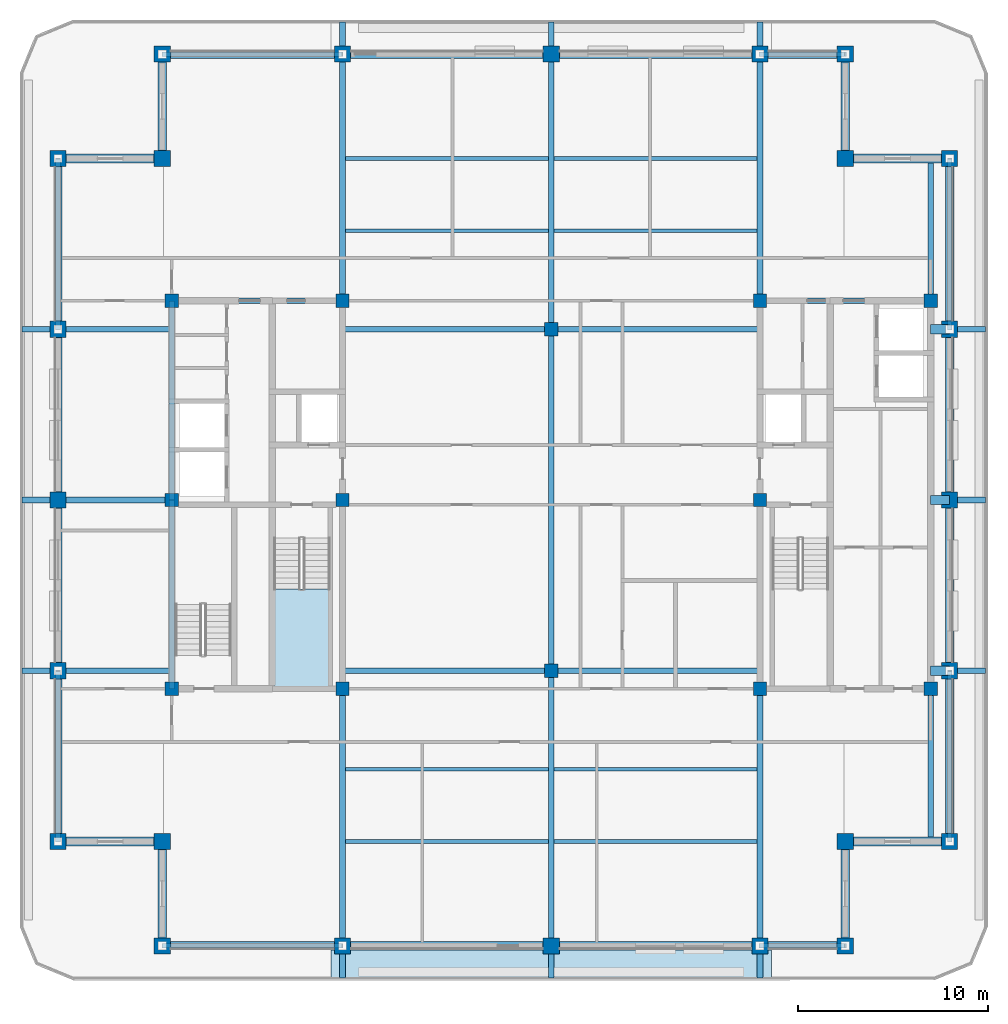
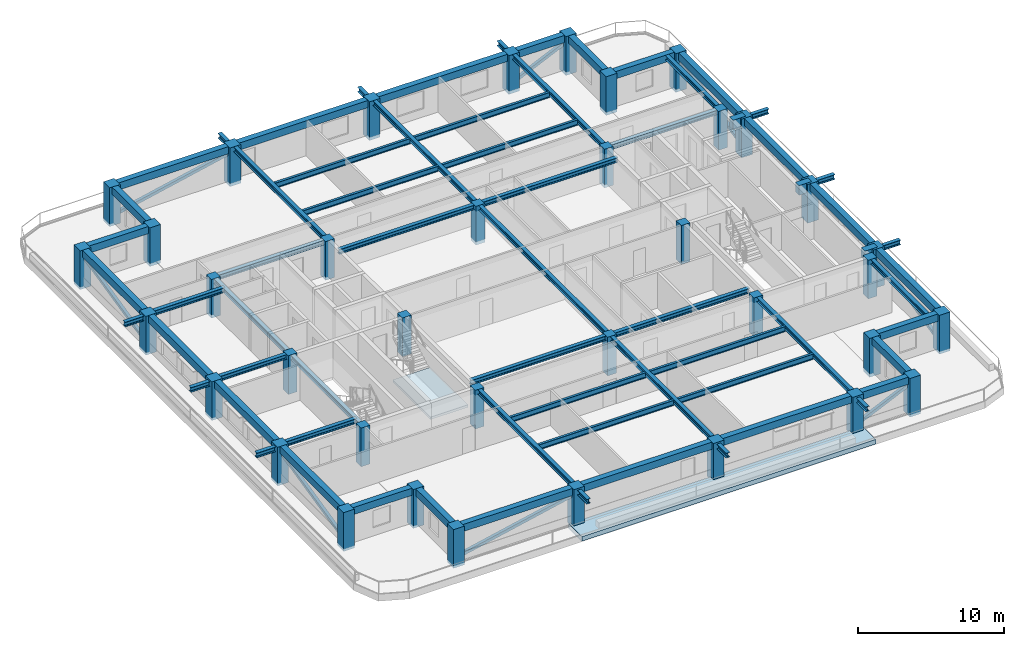
# One storey, part 1 of 11: 67 beams, 37 columns, 8 members, 2 slabs, 1 element without a shape of its own.
"""IFC4 building model written with IfcOpenShell, lengths in metres."""

from ifc_helpers import new_model, si_unit, direction, frame, origin, origin_2d, place, context, subcontext, project, spatial, polyline, rectangle, hollow_rectangle, i_section, outline, extrude, material, layer, layer_set, material_profile, profile_set, type_object, element, aggregate, save


model = new_model("IFC4")

# Units and contexts
model_context = context("Model", 3, precision=1e-05, world=origin(), true_north=direction((0.0, 1.0)))
body_context = subcontext(model_context, "Body", "Model", "MODEL_VIEW")
ifc_project = project(units=[si_unit("LENGTHUNIT", "METRE"), si_unit("AREAUNIT", "SQUARE_METRE"), si_unit("VOLUMEUNIT", "CUBIC_METRE"), si_unit("PLANEANGLEUNIT", "RADIAN"), si_unit("MASSUNIT", "GRAM", prefix="KILO")], contexts=[model_context])

# Site, building, storey
site_placement = place(None, origin())
site = spatial("IfcSite", under=ifc_project, at=site_placement, CompositionType="ELEMENT")
building_placement = place(site_placement, origin())
building = spatial("IfcBuilding", under=site, at=building_placement, Name="Zulmaris Gate Convention Tower", CompositionType="ELEMENT")
storey_placement = place(building_placement, frame((0.0, 0.0, 257.659912109375)))
storey = spatial("IfcBuildingStorey", under=building, at=storey_placement, Name="L68", CompositionType="ELEMENT", Elevation=257.659912109375)

# Columns
ifc_material_1 = material(Name="Concrete C50/60", Category="concrete")
ifc_material_profile_1 = material_profile(ifc_material_1, rectangle(XDim=0.699951171875, YDim=0.699951171875, at=origin_2d()), Name="RC COL 700x700")
ifc_profile_set_1 = profile_set([ifc_material_profile_1], Name="Concrete C50/60")
column_type_1 = type_object("IfcColumnType", Name="COL-RC700", PredefinedType="COLUMN", material=ifc_profile_set_1)
for number, where, z_axis, x_axis, name in (
    (1, (-20.0, -9.949951171875, -0.25), (0.0, 0.0, 1.0), (1.0, 0.0, 0.0), "L68 Column IN--20.00_-9.95"),
    (2, (-20.0, 10.5, -0.25), (0.0, 0.0, 1.0), (1.0, 0.0, 0.0), "L68 Column IN--20.00_+10.50"),
    (3, (-11.0, -9.949951171875, -0.25), (0.0, 0.0, 1.0), (1.0, 0.0, 0.0), "L68 Column IN--11.00_-9.95"),
    (4, (-11.0, 0.0, -0.25), (0.0, 0.0, 1.0), (1.0, 0.0, 0.0), "L68 Column IN--11.00_+0.00"),
    (5, (-11.0, 10.5, -0.25), (0.0, 0.0, 1.0), (1.0, 0.0, 0.0), "L68 Column IN--11.00_+10.50"),
    (6, (11.0, -9.949951171875, -0.25), (0.0, 0.0, 1.0), (1.0, 0.0, 0.0), "L68 Column IN-+11.00_-9.95"),
    (7, (11.0, 0.0, -0.25), (0.0, 0.0, 1.0), (1.0, 0.0, 0.0), "L68 Column IN-+11.00_+0.00"),
    (8, (11.0, 10.5, -0.25), (0.0, 0.0, 1.0), (1.0, 0.0, 0.0), "L68 Column IN-+11.00_+10.50"),
    (9, (20.0, -9.949951171875, -0.25), (0.0, 0.0, 1.0), (1.0, 0.0, 0.0), "L68 Column IN-+20.00_-9.95"),
    (10, (20.0, 10.5, -0.25), (0.0, 0.0, 1.0), (1.0, 0.0, 0.0), "L68 Column IN-+20.00_+10.50"),
    (11, (0.0, -9.0, -0.25), (0.0, 0.0, 1.0), (1.0, 0.0, 0.0), "L68 Column IN-+0.00_-9.00"),
    (12, (0.0, 9.0, -0.25), (0.0, 0.0, 1.0), (1.0, 0.0, 0.0), "L68 Column IN-+0.00_+9.00"),
    (13, (-20.0, 0.0, -0.25), (0.0, 0.0, 1.0), (1.0, 0.0, 0.0), "L68 Column IN--20.00_+0.00"),
):
    element("IfcColumn", number, at=place(storey_placement, frame(where, z_axis=z_axis, x_axis=x_axis)), inside=storey, type_object=column_type_1, Name=name, PredefinedType="COLUMN", context=body_context, shape_type="SweptSolid", body=[
        extrude(rectangle(XDim=0.699951171875, YDim=0.699951171875, at=origin_2d()), origin(), (0.0, 0.0, 1.0), 3.22998046875),
    ])
ifc_material_2 = material(Name="Concrete C60/75", Category="concrete")
ifc_material_profile_2 = material_profile(ifc_material_2, rectangle(XDim=0.85009765625, YDim=0.85009765625, at=origin_2d()), Name="RC COL 850x850")
ifc_profile_set_2 = profile_set([ifc_material_profile_2], Name="Concrete C60/75")
column_type_2 = type_object("IfcColumnType", Name="COL-RC850", PredefinedType="COLUMN", material=ifc_profile_set_2)
for number, where, z_axis, x_axis, name in (
    (14, (-20.5, -23.5, -0.25), (0.0, 0.0, 1.0), (1.0, 0.0, 0.0), "L68 Column PT--20.50_-23.50"),
    (15, (-11.0, -23.5, -0.25), (0.0, 0.0, 1.0), (1.0, 0.0, 0.0), "L68 Column PT--11.00_-23.50"),
    (16, (0.0, -23.5, -0.25), (0.0, 0.0, 1.0), (1.0, 0.0, 0.0), "L68 Column PT-+0.00_-23.50"),
    (17, (11.0, -23.5, -0.25), (0.0, 0.0, 1.0), (1.0, 0.0, 0.0), "L68 Column PT-+11.00_-23.50"),
    (18, (15.5, -23.5, -0.25), (0.0, 0.0, 1.0), (1.0, 0.0, 0.0), "L68 Column PT-+15.50_-23.50"),
    (19, (-20.5, 23.5, -0.25), (0.0, 0.0, 1.0), (1.0, 0.0, 0.0), "L68 Column PT--20.50_+23.50"),
    (20, (-11.0, 23.5, -0.25), (0.0, 0.0, 1.0), (1.0, 0.0, 0.0), "L68 Column PT--11.00_+23.50"),
    (21, (0.0, 23.5, -0.25), (0.0, 0.0, 1.0), (1.0, 0.0, 0.0), "L68 Column PT-+0.00_+23.50"),
    (22, (11.0, 23.5, -0.25), (0.0, 0.0, 1.0), (1.0, 0.0, 0.0), "L68 Column PT-+11.00_+23.50"),
    (23, (15.5, 23.5, -0.25), (0.0, 0.0, 1.0), (1.0, 0.0, 0.0), "L68 Column PT-+15.50_+23.50"),
    (24, (-26.0, -18.0, -0.25), (0.0, 0.0, 1.0), (1.0, 0.0, 0.0), "L68 Column PT--26.00_-18.00"),
    (25, (-26.0, -9.0, -0.25), (0.0, 0.0, 1.0), (1.0, 0.0, 0.0), "L68 Column PT--26.00_-9.00"),
    (26, (-26.0, 0.0, -0.25), (0.0, 0.0, 1.0), (1.0, 0.0, 0.0), "L68 Column PT--26.00_+0.00"),
    (27, (-26.0, 9.0, -0.25), (0.0, 0.0, 1.0), (1.0, 0.0, 0.0), "L68 Column PT--26.00_+9.00"),
    (28, (-26.0, 18.0, -0.25), (0.0, 0.0, 1.0), (1.0, 0.0, 0.0), "L68 Column PT--26.00_+18.00"),
    (29, (21.0, -18.0, -0.25), (0.0, 0.0, 1.0), (1.0, 0.0, 0.0), "L68 Column PT-+21.00_-18.00"),
    (30, (21.0, -9.0, -0.25), (0.0, 0.0, 1.0), (1.0, 0.0, 0.0), "L68 Column PT-+21.00_-9.00"),
    (31, (21.0, 0.0, -0.25), (0.0, 0.0, 1.0), (1.0, 0.0, 0.0), "L68 Column PT-+21.00_+0.00"),
    (32, (21.0, 9.0, -0.25), (0.0, 0.0, 1.0), (1.0, 0.0, 0.0), "L68 Column PT-+21.00_+9.00"),
    (33, (21.0, 18.0, -0.25), (0.0, 0.0, 1.0), (1.0, 0.0, 0.0), "L68 Column PT-+21.00_+18.00"),
    (34, (-20.5, -18.0, -0.25), (0.0, 0.0, 1.0), (1.0, 0.0, 0.0), "L68 Column PT--20.50_-18.00"),
    (35, (15.5, -18.0, -0.25), (0.0, 0.0, 1.0), (1.0, 0.0, 0.0), "L68 Column PT-+15.50_-18.00"),
    (36, (15.5, 18.0, -0.25), (0.0, 0.0, 1.0), (1.0, 0.0, 0.0), "L68 Column PT-+15.50_+18.00"),
    (37, (-20.5, 18.0, -0.25), (0.0, 0.0, 1.0), (1.0, 0.0, 0.0), "L68 Column PT--20.50_+18.00"),
):
    element("IfcColumn", number, at=place(storey_placement, frame(where, z_axis=z_axis, x_axis=x_axis)), inside=storey, type_object=column_type_2, Name=name, PredefinedType="COLUMN", context=body_context, shape_type="SweptSolid", body=[
        extrude(rectangle(XDim=0.85009765625, YDim=0.85009765625, at=origin_2d()), origin(), (0.0, 0.0, 1.0), 3.22998046875),
    ])

# Beams
ifc_material_3 = material(Name="Steel S355", Category="steel")
ifc_material_profile_3 = material_profile(ifc_material_3, i_section(OverallWidth=0.300048828125, OverallDepth=0.39990234375, WebThickness=0.013427734375, FlangeThickness=0.02392578125, FilletRadius=0.027099609375, at=origin_2d()), Name="HEB 400")
ifc_profile_set_3 = profile_set([ifc_material_profile_3], Name="Steel S355")
beam_type_1 = type_object("IfcBeamType", Name="BM-HEB400", PredefinedType="BEAM", material=ifc_profile_set_3)
for number, where, z_axis, x_axis, name in (
    (38, (-11.0, -25.199951171875, 2.639892578125), (0.0, 1.0, 0.0), (-1.0, 0.0, 0.0), "L68 Beam TBRK-L68-S--11"),
    (39, (-11.0, 23.5, 2.639892578125), (0.0, 1.0, 0.0), (-1.0, 0.0, 0.0), "L68 Beam TBRK-L68-N--11"),
    (40, (0.0, -25.199951171875, 2.639892578125), (0.0, 1.0, 0.0), (-1.0, 0.0, 0.0), "L68 Beam TBRK-L68-S-+0"),
    (41, (0.0, 23.5, 2.639892578125), (0.0, 1.0, 0.0), (-1.0, 0.0, 0.0), "L68 Beam TBRK-L68-N-+0"),
    (42, (11.0, -25.199951171875, 2.639892578125), (0.0, 1.0, 0.0), (-1.0, 0.0, 0.0), "L68 Beam TBRK-L68-S-+11"),
    (43, (11.0, 23.5, 2.639892578125), (0.0, 1.0, 0.0), (-1.0, 0.0, 0.0), "L68 Beam TBRK-L68-N-+11"),
):
    element("IfcBeam", number, at=place(storey_placement, frame(where, z_axis=z_axis, x_axis=x_axis)), inside=storey, type_object=beam_type_1, Name=name, PredefinedType="BEAM", context=body_context, shape_type="SweptSolid", body=[
        extrude(i_section(OverallWidth=0.300048828125, OverallDepth=0.39990234375, WebThickness=0.013427734375, FlangeThickness=0.02392578125, FilletRadius=0.027099609375, at=origin_2d()), origin(), (0.0, 0.0, 1.0), 1.699951171875),
    ])
for number, where, z_axis, x_axis, name in (
    (44, (-27.89990234375, -9.0, 2.639892578125), (1.0, 0.0, 0.0), (0.0, 1.0, 0.0), "L68 Beam TBRK-L68-W--9"),
    (45, (21.0, -9.0, 2.639892578125), (1.0, 0.0, 0.0), (0.0, 1.0, 0.0), "L68 Beam TBRK-L68-E--9"),
    (46, (-27.89990234375, 0.0, 2.639892578125), (1.0, 0.0, 0.0), (0.0, 1.0, 0.0), "L68 Beam TBRK-L68-W-+0"),
    (47, (21.0, 0.0, 2.639892578125), (1.0, 0.0, 0.0), (0.0, 1.0, 0.0), "L68 Beam TBRK-L68-E-+0"),
    (48, (-27.89990234375, 9.0, 2.639892578125), (1.0, 0.0, 0.0), (0.0, 1.0, 0.0), "L68 Beam TBRK-L68-W-+9"),
    (49, (21.0, 9.0, 2.639892578125), (1.0, 0.0, 0.0), (0.0, 1.0, 0.0), "L68 Beam TBRK-L68-E-+9"),
):
    element("IfcBeam", number, at=place(storey_placement, frame(where, z_axis=z_axis, x_axis=x_axis)), inside=storey, type_object=beam_type_1, Name=name, PredefinedType="BEAM", context=body_context, shape_type="SweptSolid", body=[
        extrude(i_section(OverallWidth=0.300048828125, OverallDepth=0.39990234375, WebThickness=0.013427734375, FlangeThickness=0.02392578125, FilletRadius=0.027099609375, at=origin_2d()), origin(), (0.0, 0.0, 1.0), 1.89990234375),
    ])
for number, where, z_axis, x_axis, name in (
    (50, (-11.0, -9.0, 2.778076171875), (1.0, 0.0, 0.0), (0.0, 1.0, 0.0), "L68 Beam BM-L68-G01"),
    (51, (0.0, -9.0, 2.778076171875), (1.0, 0.0, 0.0), (0.0, 1.0, 0.0), "L68 Beam BM-L68-G02"),
    (52, (-11.0, 9.0, 2.778076171875), (1.0, 0.0, 0.0), (0.0, 1.0, 0.0), "L68 Beam BM-L68-G03"),
    (53, (0.0, 9.0, 2.778076171875), (1.0, 0.0, 0.0), (0.0, 1.0, 0.0), "L68 Beam BM-L68-G04"),
):
    element("IfcBeam", number, at=place(storey_placement, frame(where, z_axis=z_axis, x_axis=x_axis)), inside=storey, type_object=beam_type_1, Name=name, PredefinedType="BEAM", context=body_context, shape_type="SweptSolid", body=[
        extrude(i_section(OverallWidth=0.300048828125, OverallDepth=0.39990234375, WebThickness=0.013427734375, FlangeThickness=0.02392578125, FilletRadius=0.027099609375, at=origin_2d()), origin(), (0.0, 0.0, 1.0), 11.0),
    ])
beam_1_placement = place(storey_placement, frame((0.0, -23.5, 2.778076171875), z_axis=(0.0, 1.0, 0.0), x_axis=(-1.0, 0.0, 0.0)))
element("IfcBeam", 54, at=beam_1_placement, inside=storey, type_object=beam_type_1, Name="L68 Beam BM-L68-G05", PredefinedType="BEAM", context=body_context, shape_type="SweptSolid", body=[
    extrude(i_section(OverallWidth=0.300048828125, OverallDepth=0.39990234375, WebThickness=0.013427734375, FlangeThickness=0.02392578125, FilletRadius=0.027099609375, at=origin_2d()), origin(), (0.0, 0.0, 1.0), 14.5),
])
beam_2_placement = place(storey_placement, frame((0.0, -9.0, 2.778076171875), z_axis=(0.0, 1.0, 0.0), x_axis=(-1.0, 0.0, 0.0)))
element("IfcBeam", 55, at=beam_2_placement, inside=storey, type_object=beam_type_1, Name="L68 Beam BM-L68-G06", PredefinedType="BEAM", context=body_context, shape_type="SweptSolid", body=[
    extrude(i_section(OverallWidth=0.300048828125, OverallDepth=0.39990234375, WebThickness=0.013427734375, FlangeThickness=0.02392578125, FilletRadius=0.027099609375, at=origin_2d()), origin(), (0.0, 0.0, 1.0), 18.0),
])
beam_3_placement = place(storey_placement, frame((0.0, 9.0, 2.778076171875), z_axis=(0.0, 1.0, 0.0), x_axis=(-1.0, 0.0, 0.0)))
element("IfcBeam", 56, at=beam_3_placement, inside=storey, type_object=beam_type_1, Name="L68 Beam BM-L68-G07", PredefinedType="BEAM", context=body_context, shape_type="SweptSolid", body=[
    extrude(i_section(OverallWidth=0.300048828125, OverallDepth=0.39990234375, WebThickness=0.013427734375, FlangeThickness=0.02392578125, FilletRadius=0.027099609375, at=origin_2d()), origin(), (0.0, 0.0, 1.0), 14.5),
])
beam_4_placement = place(storey_placement, frame((-11.0, -23.5, 2.778076171875), z_axis=(0.0, 1.0, 0.0), x_axis=(-1.0, 0.0, 0.0)))
element("IfcBeam", 57, at=beam_4_placement, inside=storey, type_object=beam_type_1, Name="L68 Beam BM-L68-G08", PredefinedType="BEAM", context=body_context, shape_type="SweptSolid", body=[
    extrude(i_section(OverallWidth=0.300048828125, OverallDepth=0.39990234375, WebThickness=0.013427734375, FlangeThickness=0.02392578125, FilletRadius=0.027099609375, at=origin_2d()), origin(), (0.0, 0.0, 1.0), 13.550048828125),
])
beam_5_placement = place(storey_placement, frame((-11.0, 10.5, 2.778076171875), z_axis=(0.0, 1.0, 0.0), x_axis=(-1.0, 0.0, 0.0)))
element("IfcBeam", 58, at=beam_5_placement, inside=storey, type_object=beam_type_1, Name="L68 Beam BM-L68-G09", PredefinedType="BEAM", context=body_context, shape_type="SweptSolid", body=[
    extrude(i_section(OverallWidth=0.300048828125, OverallDepth=0.39990234375, WebThickness=0.013427734375, FlangeThickness=0.02392578125, FilletRadius=0.027099609375, at=origin_2d()), origin(), (0.0, 0.0, 1.0), 13.0),
])
beam_6_placement = place(storey_placement, frame((11.0, -23.5, 2.778076171875), z_axis=(0.0, 1.0, 0.0), x_axis=(-1.0, 0.0, 0.0)))
element("IfcBeam", 59, at=beam_6_placement, inside=storey, type_object=beam_type_1, Name="L68 Beam BM-L68-G10", PredefinedType="BEAM", context=body_context, shape_type="SweptSolid", body=[
    extrude(i_section(OverallWidth=0.300048828125, OverallDepth=0.39990234375, WebThickness=0.013427734375, FlangeThickness=0.02392578125, FilletRadius=0.027099609375, at=origin_2d()), origin(), (0.0, 0.0, 1.0), 13.550048828125),
])
beam_7_placement = place(storey_placement, frame((11.0, 10.5, 2.778076171875), z_axis=(0.0, 1.0, 0.0), x_axis=(-1.0, 0.0, 0.0)))
element("IfcBeam", 60, at=beam_7_placement, inside=storey, type_object=beam_type_1, Name="L68 Beam BM-L68-G11", PredefinedType="BEAM", context=body_context, shape_type="SweptSolid", body=[
    extrude(i_section(OverallWidth=0.300048828125, OverallDepth=0.39990234375, WebThickness=0.013427734375, FlangeThickness=0.02392578125, FilletRadius=0.027099609375, at=origin_2d()), origin(), (0.0, 0.0, 1.0), 13.0),
])
beam_8_placement = place(storey_placement, frame((20.0, -18.0, 2.778076171875), z_axis=(0.0, 1.0, 0.0), x_axis=(-1.0, 0.0, 0.0)))
element("IfcBeam", 61, at=beam_8_placement, inside=storey, type_object=beam_type_1, Name="L68 Beam BM-L68-G14", PredefinedType="BEAM", context=body_context, shape_type="SweptSolid", body=[
    extrude(i_section(OverallWidth=0.300048828125, OverallDepth=0.39990234375, WebThickness=0.013427734375, FlangeThickness=0.02392578125, FilletRadius=0.027099609375, at=origin_2d()), origin(), (0.0, 0.0, 1.0), 8.050048828125),
])
beam_9_placement = place(storey_placement, frame((20.0, 10.5, 2.778076171875), z_axis=(0.0, 1.0, 0.0), x_axis=(-1.0, 0.0, 0.0)))
element("IfcBeam", 62, at=beam_9_placement, inside=storey, type_object=beam_type_1, Name="L68 Beam BM-L68-G15", PredefinedType="BEAM", context=body_context, shape_type="SweptSolid", body=[
    extrude(i_section(OverallWidth=0.300048828125, OverallDepth=0.39990234375, WebThickness=0.013427734375, FlangeThickness=0.02392578125, FilletRadius=0.027099609375, at=origin_2d()), origin(), (0.0, 0.0, 1.0), 7.5),
])
for number, where, z_axis, x_axis, name in (
    (63, (-26.0, -9.0, 2.778076171875), (1.0, 0.0, 0.0), (0.0, 1.0, 0.0), "L68 Beam BM-L68-G16"),
    (64, (-26.0, 0.0, 2.778076171875), (1.0, 0.0, 0.0), (0.0, 1.0, 0.0), "L68 Beam BM-L68-G17"),
    (65, (-26.0, 9.0, 2.778076171875), (1.0, 0.0, 0.0), (0.0, 1.0, 0.0), "L68 Beam BM-L68-G18"),
):
    element("IfcBeam", number, at=place(storey_placement, frame(where, z_axis=z_axis, x_axis=x_axis)), inside=storey, type_object=beam_type_1, Name=name, PredefinedType="BEAM", context=body_context, shape_type="SweptSolid", body=[
        extrude(i_section(OverallWidth=0.300048828125, OverallDepth=0.39990234375, WebThickness=0.013427734375, FlangeThickness=0.02392578125, FilletRadius=0.027099609375, at=origin_2d()), origin(), (0.0, 0.0, 1.0), 6.0),
    ])
for number, where, z_axis, x_axis, name in (
    (66, (-20.0, 10.5, 2.778076171875), (1.0, 0.0, 0.0), (0.0, 1.0, 0.0), "L68 Beam BM-L68-G23"),
    (67, (11.0, 10.5, 2.778076171875), (1.0, 0.0, 0.0), (0.0, 1.0, 0.0), "L68 Beam BM-L68-G25"),
):
    element("IfcBeam", number, at=place(storey_placement, frame(where, z_axis=z_axis, x_axis=x_axis)), inside=storey, type_object=beam_type_1, Name=name, PredefinedType="BEAM", context=body_context, shape_type="SweptSolid", body=[
        extrude(i_section(OverallWidth=0.300048828125, OverallDepth=0.39990234375, WebThickness=0.013427734375, FlangeThickness=0.02392578125, FilletRadius=0.027099609375, at=origin_2d()), origin(), (0.0, 0.0, 1.0), 9.0),
    ])
beam_10_placement = place(storey_placement, frame((-20.0, -9.949951171875, 2.778076171875), z_axis=(0.0, 1.0, 0.0), x_axis=(-1.0, 0.0, 0.0)))
element("IfcBeam", 68, at=beam_10_placement, inside=storey, type_object=beam_type_1, Name="L68 Beam BM-L68-G26", PredefinedType="BEAM", context=body_context, shape_type="SweptSolid", body=[
    extrude(i_section(OverallWidth=0.300048828125, OverallDepth=0.39990234375, WebThickness=0.013427734375, FlangeThickness=0.02392578125, FilletRadius=0.027099609375, at=origin_2d()), origin(), (0.0, 0.0, 1.0), 9.949951171875),
])
beam_11_placement = place(storey_placement, frame((-20.0, 0.0, 2.778076171875), z_axis=(0.0, 1.0, 0.0), x_axis=(-1.0, 0.0, 0.0)))
element("IfcBeam", 69, at=beam_11_placement, inside=storey, type_object=beam_type_1, Name="L68 Beam BM-L68-G27", PredefinedType="BEAM", context=body_context, shape_type="SweptSolid", body=[
    extrude(i_section(OverallWidth=0.300048828125, OverallDepth=0.39990234375, WebThickness=0.013427734375, FlangeThickness=0.02392578125, FilletRadius=0.027099609375, at=origin_2d()), origin(), (0.0, 0.0, 1.0), 10.5),
])
ifc_material_profile_4 = material_profile(ifc_material_1, rectangle(XDim=0.5, YDim=0.800048828125, at=origin_2d()), Name="RC BEAM 500x800")
ifc_profile_set_4 = profile_set([ifc_material_profile_4], Name="Concrete C50/60")
beam_type_2 = type_object("IfcBeamType", Name="BM-RC500x800", PredefinedType="BEAM", material=ifc_profile_set_4)
for number, where, z_axis, x_axis, name in (
    (70, (20.0, -9.0, 2.580078125), (1.0, 0.0, 0.0), (0.0, 1.0, 0.0), "L68 Beam BM-L68-G19"),
    (71, (20.0, 0.0, 2.580078125), (1.0, 0.0, 0.0), (0.0, 1.0, 0.0), "L68 Beam BM-L68-G20"),
    (72, (20.0, 9.0, 2.580078125), (1.0, 0.0, 0.0), (0.0, 1.0, 0.0), "L68 Beam BM-L68-G21"),
):
    element("IfcBeam", number, at=place(storey_placement, frame(where, z_axis=z_axis, x_axis=x_axis)), inside=storey, type_object=beam_type_2, Name=name, PredefinedType="BEAM", context=body_context, shape_type="SweptSolid", body=[
        extrude(rectangle(XDim=0.5, YDim=0.800048828125, at=origin_2d()), origin(), (0.0, 0.0, 1.0), 1.0),
    ])
ifc_material_4 = material(Name="Precast concrete C50/60", Category="concrete")
ifc_material_profile_5 = material_profile(ifc_material_4, rectangle(XDim=0.449951171875, YDim=0.60009765625, at=origin_2d()), Name="RC SPANDREL 450x600")
ifc_profile_set_5 = profile_set([ifc_material_profile_5], Name="Precast concrete C50/60")
beam_type_3 = type_object("IfcBeamType", Name="BM-SP450x600", PredefinedType="SPANDREL", material=ifc_profile_set_5)
beam_12_placement = place(storey_placement, frame((-20.5, -23.5, 2.679931640625), z_axis=(1.0, 0.0, 0.0), x_axis=(0.0, 1.0, 0.0)))
element("IfcBeam", 73, at=beam_12_placement, inside=storey, type_object=beam_type_3, Name="L68 Spandrel SP-L68-01", PredefinedType="SPANDREL", context=body_context, shape_type="SweptSolid", body=[
    extrude(rectangle(XDim=0.449951171875, YDim=0.60009765625, at=origin_2d()), origin(), (0.0, 0.0, 1.0), 9.5),
])
for number, where, z_axis, x_axis, name in (
    (74, (-11.0, -23.5, 2.679931640625), (1.0, 0.0, 0.0), (0.0, 1.0, 0.0), "L68 Spandrel SP-L68-02"),
    (75, (0.0, -23.5, 2.679931640625), (1.0, 0.0, 0.0), (0.0, 1.0, 0.0), "L68 Spandrel SP-L68-03"),
):
    element("IfcBeam", number, at=place(storey_placement, frame(where, z_axis=z_axis, x_axis=x_axis)), inside=storey, type_object=beam_type_3, Name=name, PredefinedType="SPANDREL", context=body_context, shape_type="SweptSolid", body=[
        extrude(rectangle(XDim=0.449951171875, YDim=0.60009765625, at=origin_2d()), origin(), (0.0, 0.0, 1.0), 11.0),
    ])
beam_13_placement = place(storey_placement, frame((11.0, -23.5, 2.679931640625), z_axis=(1.0, 0.0, 0.0), x_axis=(0.0, 1.0, 0.0)))
element("IfcBeam", 76, at=beam_13_placement, inside=storey, type_object=beam_type_3, Name="L68 Spandrel SP-L68-04", PredefinedType="SPANDREL", context=body_context, shape_type="SweptSolid", body=[
    extrude(rectangle(XDim=0.449951171875, YDim=0.60009765625, at=origin_2d()), origin(), (0.0, 0.0, 1.0), 4.5),
])
for number, where, z_axis, x_axis, name in (
    (77, (15.5, -23.5, 2.679931640625), (0.0, 1.0, 0.0), (-1.0, 0.0, 0.0), "L68 Spandrel SP-L68-05"),
    (78, (15.5, -18.0, 2.679931640625), (1.0, 0.0, 0.0), (0.0, 1.0, 0.0), "L68 Spandrel SP-L68-06"),
):
    element("IfcBeam", number, at=place(storey_placement, frame(where, z_axis=z_axis, x_axis=x_axis)), inside=storey, type_object=beam_type_3, Name=name, PredefinedType="SPANDREL", context=body_context, shape_type="SweptSolid", body=[
        extrude(rectangle(XDim=0.449951171875, YDim=0.60009765625, at=origin_2d()), origin(), (0.0, 0.0, 1.0), 5.5),
    ])
for number, where, z_axis, x_axis, name in (
    (79, (21.0, -18.0, 2.679931640625), (0.0, 1.0, 0.0), (-1.0, 0.0, 0.0), "L68 Spandrel SP-L68-07"),
    (80, (21.0, -9.0, 2.679931640625), (0.0, 1.0, 0.0), (-1.0, 0.0, 0.0), "L68 Spandrel SP-L68-08"),
    (81, (21.0, 0.0, 2.679931640625), (0.0, 1.0, 0.0), (-1.0, 0.0, 0.0), "L68 Spandrel SP-L68-09"),
    (82, (21.0, 9.0, 2.679931640625), (0.0, 1.0, 0.0), (-1.0, 0.0, 0.0), "L68 Spandrel SP-L68-10"),
):
    element("IfcBeam", number, at=place(storey_placement, frame(where, z_axis=z_axis, x_axis=x_axis)), inside=storey, type_object=beam_type_3, Name=name, PredefinedType="SPANDREL", context=body_context, shape_type="SweptSolid", body=[
        extrude(rectangle(XDim=0.449951171875, YDim=0.60009765625, at=origin_2d()), origin(), (0.0, 0.0, 1.0), 9.0),
    ])
for number, where, z_axis, x_axis, name in (
    (83, (21.0, 18.0, 2.679931640625), (-1.0, 0.0, 0.0), (0.0, -1.0, 0.0), "L68 Spandrel SP-L68-11"),
    (84, (15.5, 18.0, 2.679931640625), (0.0, 1.0, 0.0), (-1.0, 0.0, 0.0), "L68 Spandrel SP-L68-12"),
):
    element("IfcBeam", number, at=place(storey_placement, frame(where, z_axis=z_axis, x_axis=x_axis)), inside=storey, type_object=beam_type_3, Name=name, PredefinedType="SPANDREL", context=body_context, shape_type="SweptSolid", body=[
        extrude(rectangle(XDim=0.449951171875, YDim=0.60009765625, at=origin_2d()), origin(), (0.0, 0.0, 1.0), 5.5),
    ])
beam_14_placement = place(storey_placement, frame((15.5, 23.5, 2.679931640625), z_axis=(-1.0, 0.0, 0.0), x_axis=(0.0, -1.0, 0.0)))
element("IfcBeam", 85, at=beam_14_placement, inside=storey, type_object=beam_type_3, Name="L68 Spandrel SP-L68-13", PredefinedType="SPANDREL", context=body_context, shape_type="SweptSolid", body=[
    extrude(rectangle(XDim=0.449951171875, YDim=0.60009765625, at=origin_2d()), origin(), (0.0, 0.0, 1.0), 4.5),
])
for number, where, z_axis, x_axis, name in (
    (86, (11.0, 23.5, 2.679931640625), (-1.0, 0.0, 0.0), (0.0, -1.0, 0.0), "L68 Spandrel SP-L68-14"),
    (87, (0.0, 23.5, 2.679931640625), (-1.0, 0.0, 0.0), (0.0, -1.0, 0.0), "L68 Spandrel SP-L68-15"),
):
    element("IfcBeam", number, at=place(storey_placement, frame(where, z_axis=z_axis, x_axis=x_axis)), inside=storey, type_object=beam_type_3, Name=name, PredefinedType="SPANDREL", context=body_context, shape_type="SweptSolid", body=[
        extrude(rectangle(XDim=0.449951171875, YDim=0.60009765625, at=origin_2d()), origin(), (0.0, 0.0, 1.0), 11.0),
    ])
beam_15_placement = place(storey_placement, frame((-11.0, 23.5, 2.679931640625), z_axis=(-1.0, 0.0, 0.0), x_axis=(0.0, -1.0, 0.0)))
element("IfcBeam", 88, at=beam_15_placement, inside=storey, type_object=beam_type_3, Name="L68 Spandrel SP-L68-16", PredefinedType="SPANDREL", context=body_context, shape_type="SweptSolid", body=[
    extrude(rectangle(XDim=0.449951171875, YDim=0.60009765625, at=origin_2d()), origin(), (0.0, 0.0, 1.0), 9.5),
])
for number, where, z_axis, x_axis, name in (
    (89, (-20.5, 23.5, 2.679931640625), (0.0, -1.0, 0.0), (1.0, 0.0, 0.0), "L68 Spandrel SP-L68-17"),
    (90, (-20.5, 18.0, 2.679931640625), (-1.0, 0.0, 0.0), (0.0, -1.0, 0.0), "L68 Spandrel SP-L68-18"),
):
    element("IfcBeam", number, at=place(storey_placement, frame(where, z_axis=z_axis, x_axis=x_axis)), inside=storey, type_object=beam_type_3, Name=name, PredefinedType="SPANDREL", context=body_context, shape_type="SweptSolid", body=[
        extrude(rectangle(XDim=0.449951171875, YDim=0.60009765625, at=origin_2d()), origin(), (0.0, 0.0, 1.0), 5.5),
    ])
for number, where, z_axis, x_axis, name in (
    (91, (-26.0, 18.0, 2.679931640625), (0.0, -1.0, 0.0), (1.0, 0.0, 0.0), "L68 Spandrel SP-L68-19"),
    (92, (-26.0, 9.0, 2.679931640625), (0.0, -1.0, 0.0), (1.0, 0.0, 0.0), "L68 Spandrel SP-L68-20"),
    (93, (-26.0, 0.0, 2.679931640625), (0.0, -1.0, 0.0), (1.0, 0.0, 0.0), "L68 Spandrel SP-L68-21"),
    (94, (-26.0, -9.0, 2.679931640625), (0.0, -1.0, 0.0), (1.0, 0.0, 0.0), "L68 Spandrel SP-L68-22"),
):
    element("IfcBeam", number, at=place(storey_placement, frame(where, z_axis=z_axis, x_axis=x_axis)), inside=storey, type_object=beam_type_3, Name=name, PredefinedType="SPANDREL", context=body_context, shape_type="SweptSolid", body=[
        extrude(rectangle(XDim=0.449951171875, YDim=0.60009765625, at=origin_2d()), origin(), (0.0, 0.0, 1.0), 9.0),
    ])
for number, where, z_axis, x_axis, name in (
    (95, (-26.0, -18.0, 2.679931640625), (1.0, 0.0, 0.0), (0.0, 1.0, 0.0), "L68 Spandrel SP-L68-23"),
    (96, (-20.5, -18.0, 2.679931640625), (0.0, -1.0, 0.0), (1.0, 0.0, 0.0), "L68 Spandrel SP-L68-24"),
):
    element("IfcBeam", number, at=place(storey_placement, frame(where, z_axis=z_axis, x_axis=x_axis)), inside=storey, type_object=beam_type_3, Name=name, PredefinedType="SPANDREL", context=body_context, shape_type="SweptSolid", body=[
        extrude(rectangle(XDim=0.449951171875, YDim=0.60009765625, at=origin_2d()), origin(), (0.0, 0.0, 1.0), 5.5),
    ])

# Members
ifc_material_profile_6 = material_profile(ifc_material_3, hollow_rectangle(XDim=0.25, YDim=0.25, WallThickness=0.012451171875, at=origin_2d()), Name="SHS 250x250x12.5")
ifc_profile_set_6 = profile_set([ifc_material_profile_6], Name="Steel S355")
member_type = type_object("IfcMemberType", Name="BR-SHS250", PredefinedType="BRACE", material=ifc_profile_set_6)
for number, where, z_axis, x_axis, name in (
    (97, (-26.0, -18.0, 0.300048828125), (0.0, 0.974789860724, 0.223124914409), (-1.0, 0.0, 0.0), "L68 Perimeter Tube Diagonal SW-W"),
    (98, (-26.0, 9.0, 0.300048828125), (0.0, 0.974789860724, 0.223124914409), (-1.0, 0.0, 0.0), "L68 Perimeter Tube Diagonal NW-W"),
    (99, (21.0, -18.0, 0.300048828125), (0.0, 0.974789860724, 0.223124914409), (-1.0, 0.0, 0.0), "L68 Perimeter Tube Diagonal SE-E"),
    (100, (21.0, 9.0, 0.300048828125), (0.0, 0.974789860724, 0.223124914409), (-1.0, 0.0, 0.0), "L68 Perimeter Tube Diagonal NE-E"),
):
    element("IfcMember", number, at=place(storey_placement, frame(where, z_axis=z_axis, x_axis=x_axis)), inside=storey, type_object=member_type, Name=name, PredefinedType="BRACE", context=body_context, shape_type="SweptSolid", body=[
        extrude(hollow_rectangle(XDim=0.25, YDim=0.25, WallThickness=0.012451171875, at=origin_2d()), origin(), (0.0, 0.0, 1.0), 9.232666015625),
    ])
member_1_placement = place(storey_placement, frame((-20.5, -23.5, 0.300048828125), z_axis=(0.977286395287, 0.0, 0.21192286707), x_axis=(0.0, 1.0, 0.0)))
element("IfcMember", 101, at=member_1_placement, inside=storey, type_object=member_type, Name="L68 Perimeter Tube Diagonal SW-S", PredefinedType="BRACE", context=body_context, shape_type="SweptSolid", body=[
    extrude(hollow_rectangle(XDim=0.25, YDim=0.25, WallThickness=0.012451171875, at=origin_2d()), origin(), (0.0, 0.0, 1.0), 9.720703125),
])
member_2_placement = place(storey_placement, frame((11.0, -23.5, 0.300048828125), z_axis=(0.909251577034, 0.0, 0.416247005589), x_axis=(0.0, 1.0, 0.0)))
element("IfcMember", 102, at=member_2_placement, inside=storey, type_object=member_type, Name="L68 Perimeter Tube Diagonal SE-S", PredefinedType="BRACE", context=body_context, shape_type="SweptSolid", body=[
    extrude(hollow_rectangle(XDim=0.25, YDim=0.25, WallThickness=0.012451171875, at=origin_2d()), origin(), (0.0, 0.0, 1.0), 4.94921875),
])
member_3_placement = place(storey_placement, frame((-20.5, 23.5, 0.300048828125), z_axis=(0.977286395287, 0.0, 0.21192286707), x_axis=(0.0, 1.0, 0.0)))
element("IfcMember", 103, at=member_3_placement, inside=storey, type_object=member_type, Name="L68 Perimeter Tube Diagonal NW-N", PredefinedType="BRACE", context=body_context, shape_type="SweptSolid", body=[
    extrude(hollow_rectangle(XDim=0.25, YDim=0.25, WallThickness=0.012451171875, at=origin_2d()), origin(), (0.0, 0.0, 1.0), 9.720703125),
])
member_4_placement = place(storey_placement, frame((11.0, 23.5, 0.300048828125), z_axis=(0.909251577034, 0.0, 0.416247005589), x_axis=(0.0, 1.0, 0.0)))
element("IfcMember", 104, at=member_4_placement, inside=storey, type_object=member_type, Name="L68 Perimeter Tube Diagonal NE-N", PredefinedType="BRACE", context=body_context, shape_type="SweptSolid", body=[
    extrude(hollow_rectangle(XDim=0.25, YDim=0.25, WallThickness=0.012451171875, at=origin_2d()), origin(), (0.0, 0.0, 1.0), 4.94921875),
])

# Beams
ifc_material_profile_7 = material_profile(ifc_material_3, i_section(OverallWidth=0.18994140625, OverallDepth=0.449951171875, WebThickness=0.009521484375, FlangeThickness=0.0146484375, FilletRadius=0.02099609375, at=origin_2d()), Name="IPE 450")
ifc_profile_set_7 = profile_set([ifc_material_profile_7], Name="Steel S355")
beam_type_4 = type_object("IfcBeamType", Name="JT-IPE450", PredefinedType="JOIST", material=ifc_profile_set_7)
for number, where, z_axis, x_axis, name in (
    (105, (-10.85009765625, -18.0, 2.7529296875), (1.0, 0.0, 0.0), (0.0, 1.0, 0.0), "L68 Joist JT-L68-CW--18.0"),
    (106, (0.14990234375, -18.0, 2.7529296875), (1.0, 0.0, 0.0), (0.0, 1.0, 0.0), "L68 Joist JT-L68-CE--18.0"),
    (107, (-10.85009765625, -14.199951171875, 2.7529296875), (1.0, 0.0, 0.0), (0.0, 1.0, 0.0), "L68 Joist JT-L68-CW--14.2"),
    (108, (0.14990234375, -14.199951171875, 2.7529296875), (1.0, 0.0, 0.0), (0.0, 1.0, 0.0), "L68 Joist JT-L68-CE--14.2"),
    (109, (-10.85009765625, 14.199951171875, 2.7529296875), (1.0, 0.0, 0.0), (0.0, 1.0, 0.0), "L68 Joist JT-L68-CW-+14.2"),
    (110, (0.14990234375, 14.199951171875, 2.7529296875), (1.0, 0.0, 0.0), (0.0, 1.0, 0.0), "L68 Joist JT-L68-CE-+14.2"),
    (111, (-10.85009765625, 18.0, 2.7529296875), (1.0, 0.0, 0.0), (0.0, 1.0, 0.0), "L68 Joist JT-L68-CW-+18.0"),
    (112, (0.14990234375, 18.0, 2.7529296875), (1.0, 0.0, 0.0), (0.0, 1.0, 0.0), "L68 Joist JT-L68-CE-+18.0"),
):
    element("IfcBeam", number, at=place(storey_placement, frame(where, z_axis=z_axis, x_axis=x_axis)), inside=storey, type_object=beam_type_4, Name=name, PredefinedType="JOIST", context=body_context, shape_type="SweptSolid", body=[
        extrude(i_section(OverallWidth=0.18994140625, OverallDepth=0.449951171875, WebThickness=0.009521484375, FlangeThickness=0.0146484375, FilletRadius=0.02099609375, at=origin_2d()), origin(), (0.0, 0.0, 1.0), 10.7001953125),
    ])

# Slab
ifc_layer_1 = layer(ifc_material_4, 0.260009765625, Name="Precast concrete C50/60")
ifc_layer_set_1 = layer_set([ifc_layer_1], Name="Precast concrete C50/60")
slab_type_1 = type_object("IfcSlabType", Name="SL-BAL-260", PredefinedType="FLOOR", material=ifc_layer_set_1)
slab_1_placement = place(storey_placement, frame((0.0, 0.0, -0.425048828125)))
element("IfcSlab", 113, at=slab_1_placement, inside=storey, type_object=slab_type_1, Name="L68 South Tree-Balcony Planter Slab", PredefinedType="FLOOR", context=body_context, shape_type="SweptSolid", body=[
    extrude(outline(polyline([(-11.597900390625, -25.300048828125), (-11.597900390625, -23.5), (11.597900390625, -23.5), (11.597900390625, -25.300048828125), (-11.597900390625, -25.300048828125)])), origin(), (0.0, 0.0, 1.0), 0.385009765625),
])

# Stair, slab
ifc_material_5 = material(Name="Concrete C45/55", Category="concrete")
stair_type = type_object("IfcStairType", Name="ST-CORE-DOGLEG", PredefinedType="HALF_TURN_STAIR", material=ifc_material_5)
stair_placement = place(storey_placement, origin())
stair = element("IfcStair", 114, at=stair_placement, inside=storey, type_object=stair_type, Name="L68 Core Exit Stair ST-1", PredefinedType="HALF_TURN_STAIR")
ifc_layer_2 = layer(ifc_material_5, 0.199951171875, Name="Concrete C45/55")
ifc_layer_set_2 = layer_set([ifc_layer_2], Name="Concrete C45/55")
slab_type_2 = type_object("IfcSlabType", Name="SL-LND-200", PredefinedType="LANDING", material=ifc_layer_set_2)
slab_2_placement = place(storey_placement, frame((0.0, 0.0, 1.4150390625)))
slab_2 = element("IfcSlab", 115, at=slab_2_placement, type_object=slab_type_2, Name="ST-1 landing 1", PredefinedType="LANDING", context=body_context, shape_type="SweptSolid", body=[
    extrude(outline(polyline([(-14.6201171875, -4.699951171875), (-14.6201171875, -9.85009765625), (-11.659912109375, -9.85009765625), (-11.659912109375, -4.699951171875), (-14.6201171875, -4.699951171875)])), origin(), (0.0, 0.0, 1.0), 0.199951171875),
])
aggregate(stair, [slab_2])

save(model, "model.ifc")
